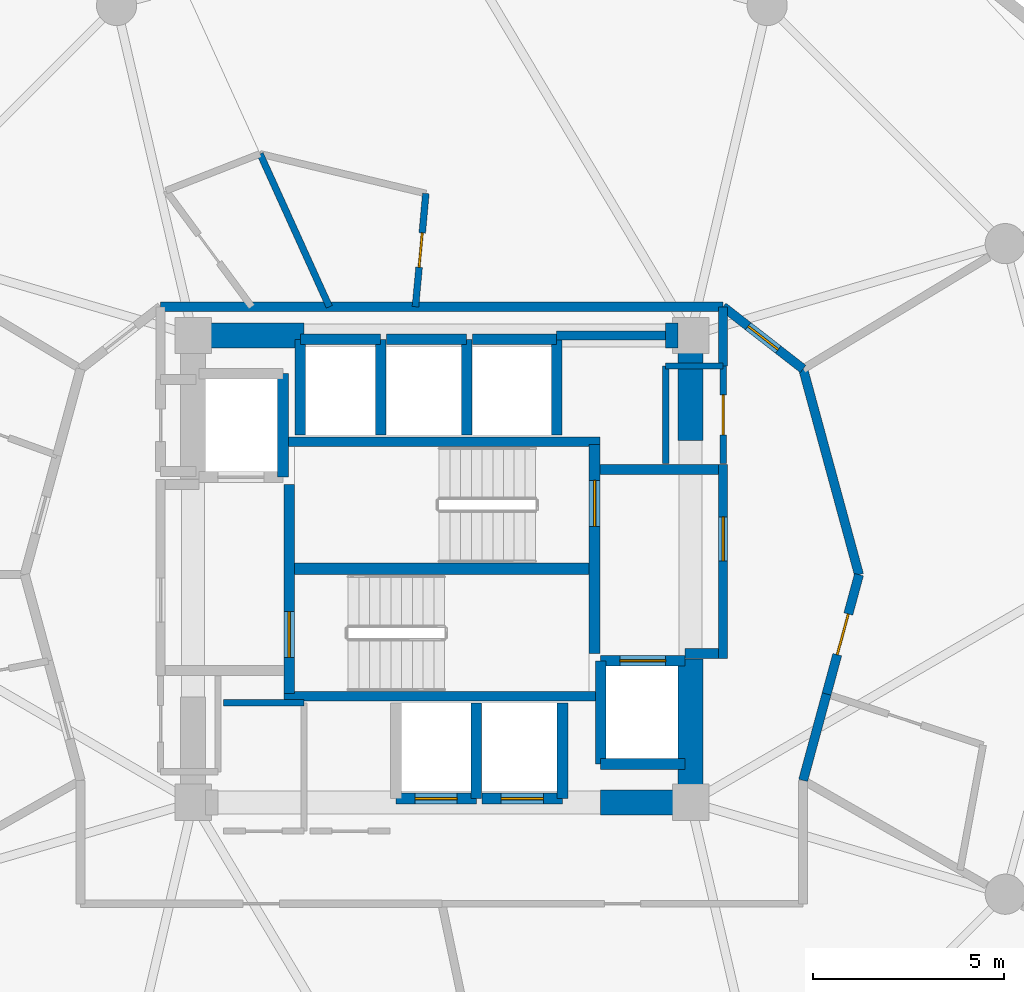
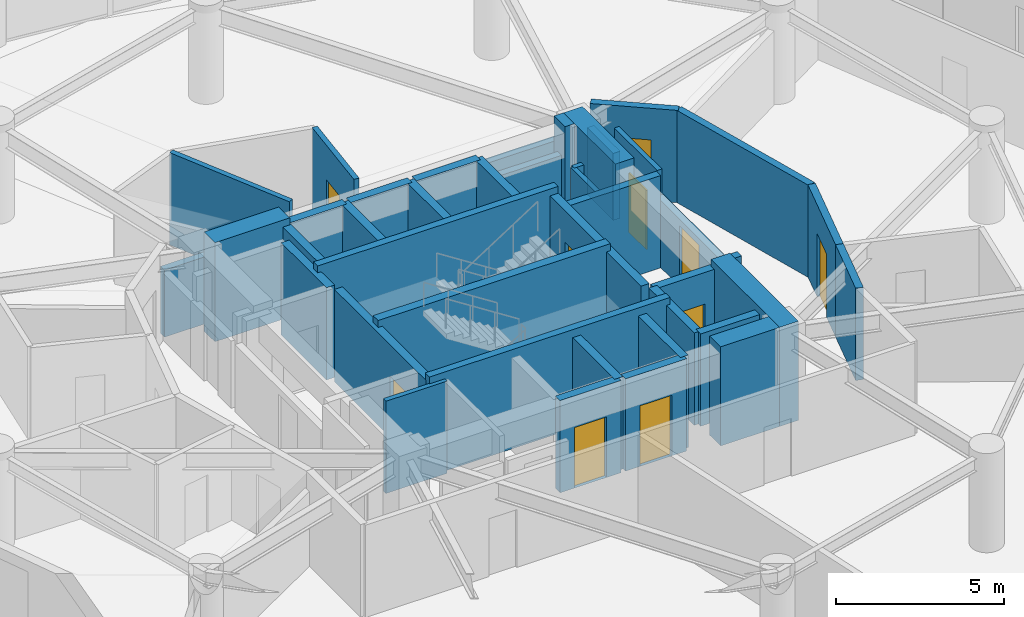
# One storey, part 19 of 22: 41 walls, 10 doors, 10 openings.
"""IFC4 building model written with IfcOpenShell, lengths in metres."""

from ifc_helpers import new_model, si_unit, direction, frame, frame_2d, origin, place, context, subcontext, project, spatial, rectangle, extrude, material, layer, layer_set, type_object, element, fill, save


model = new_model("IFC4")

# Units and contexts
model_context = context("Model", 3, precision=1e-05, world=origin(), true_north=direction((0.0, 1.0)))
body_context = subcontext(model_context, "Body", "Model", "MODEL_VIEW")
ifc_project = project(units=[si_unit("LENGTHUNIT", "METRE"), si_unit("AREAUNIT", "SQUARE_METRE"), si_unit("VOLUMEUNIT", "CUBIC_METRE"), si_unit("PLANEANGLEUNIT", "RADIAN"), si_unit("MASSUNIT", "GRAM", prefix="KILO")], contexts=[model_context])

# Site, building, storey
site_placement = place(None, origin())
site = spatial("IfcSite", under=ifc_project, at=site_placement, CompositionType="ELEMENT")
building_placement = place(site_placement, origin())
building = spatial("IfcBuilding", under=site, at=building_placement, Name="Solvirekh Grand Hotel", CompositionType="ELEMENT")
storey_placement = place(building_placement, frame((0.0, 0.0, 149.39990234375)))
storey = spatial("IfcBuildingStorey", under=building, at=storey_placement, Name="L38", CompositionType="ELEMENT", Elevation=149.39990234375)

# Walls
ifc_material_1 = material(Name="Concrete C50/60", Category="concrete")
ifc_layer_1 = layer(ifc_material_1, 0.35009765625)
ifc_layer_set_1 = layer_set([ifc_layer_1], Name="Concrete C50/60")
wall_type_1 = type_object("IfcWallType", Name="CoreDivWall_RC350", PredefinedType="SOLIDWALL", material=ifc_layer_set_1)
for number, where, z_axis, x_axis, name in (
    (1, (-4.1298828125, -3.324951171875, 0.0), (0.0, 0.0, 1.0), (1.0, 0.0, 0.0), "L38 core stair box wall ST-S"),
    (2, (-4.1298828125, 3.324951171875, 0.0), (0.0, 0.0, 1.0), (1.0, 0.0, 0.0), "L38 core stair box wall ST-N"),
):
    element("IfcWall", number, at=place(storey_placement, frame(where, z_axis=z_axis, x_axis=x_axis)), inside=storey, type_object=wall_type_1, Name=name, PredefinedType="SOLIDWALL", context=body_context, shape_type="SweptSolid", body=[
        extrude(rectangle(XDim=8.259765625, YDim=0.25, at=frame_2d((4.1298828125, 0.0))), origin(), (0.0, 0.0, 1.0), 3.60009765625),
    ])

# Wall, opening, door
ifc_material_2 = material(Name="Concrete C40/50", Category="concrete")
ifc_layer_2 = layer(ifc_material_2, 0.280029296875)
ifc_layer_set_2 = layer_set([ifc_layer_2], Name="Concrete C40/50")
wall_type_2 = type_object("IfcWallType", Name="CoreShaftWall_RC280", PredefinedType="SOLIDWALL", material=ifc_layer_set_2)
wall_1_placement = place(storey_placement, frame((-1.199951171875, -6.0, 0.0), z_axis=(0.0, 0.0, 1.0), x_axis=(1.0, 0.0, 0.0)))
wall_1 = element("IfcWall", 3, at=wall_1_placement, inside=storey, type_object=wall_type_2, Name="L38 MP-1 hoistway S wall", PredefinedType="SOLIDWALL", context=body_context, shape_type="SweptSolid", body=[
    extrude(rectangle(XDim=2.099853515625, YDim=0.280029296875, at=frame_2d((1.0498046875, 0.0))), origin(), (0.0, 0.0, 1.0), 3.35009765625),
])
opening_1_placement = place(wall_1_placement, frame((0.5, 0.0, 0.0)))
opening_1 = element("IfcOpeningElement", 4, at=opening_1_placement, cuts=wall_1, Name="Opening LD01", PredefinedType="OPENING", context=body_context, shape_type="SweptSolid", body=[
    extrude(rectangle(XDim=1.10009765625, YDim=2.199951171875, at=frame_2d((0.550048828125, 1.10009765625))), frame((0.0, 0.14990234375, 0.0), z_axis=(0.0, -1.0, 0.0), x_axis=(1.0, 0.0, 0.0)), (0.0, 0.0, 1.0), 0.300048828125),
])
ifc_material_3 = material(Name="Fire-Rated Steel Door Assembly", Category="steel")
door_type_1 = type_object("IfcDoorType", Name="Door_LiftLanding_1100X2200", OperationType="SLIDING_TO_LEFT", PredefinedType="DOOR", material=ifc_material_3)
door_1_placement = place(opening_1_placement, origin())
door_1 = element("IfcDoor", 5, at=door_1_placement, inside=storey, type_object=door_type_1, Name="L38 MP-1 sliding lift landing door", OperationType="SLIDING_TO_LEFT", OverallHeight=2.199951171875, OverallWidth=1.10009765625, PredefinedType="DOOR", context=body_context, shape_type="SweptSolid", body=[
    extrude(rectangle(XDim=1.10009765625, YDim=2.199951171875, at=frame_2d((0.550048828125, 1.10009765625))), frame((0.0, 0.02490234375, 0.0), z_axis=(0.0, -1.0, 0.0), x_axis=(1.0, 0.0, 0.0)), (0.0, 0.0, 1.0), 0.050048828125),
])
fill(opening_1, door_1)

# Wall
wall_2_placement = place(storey_placement, frame((0.89990234375, -6.0, 0.0), z_axis=(0.0, 0.0, 1.0), x_axis=(0.0, 1.0, 0.0)))
element("IfcWall", 6, at=wall_2_placement, inside=storey, type_object=wall_type_2, Name="L38 MP-1 hoistway E wall", PredefinedType="SOLIDWALL", context=body_context, shape_type="SweptSolid", body=[
    extrude(rectangle(XDim=2.5, YDim=0.280029296875, at=frame_2d((1.25, 0.0))), origin(), (0.0, 0.0, 1.0), 3.35009765625),
])

# Wall, opening, door
wall_3_placement = place(storey_placement, frame((1.050048828125, -6.0, 0.0), z_axis=(0.0, 0.0, 1.0), x_axis=(1.0, 0.0, 0.0)))
wall_3 = element("IfcWall", 7, at=wall_3_placement, inside=storey, type_object=wall_type_2, Name="L38 MP-2 hoistway S wall", PredefinedType="SOLIDWALL", context=body_context, shape_type="SweptSolid", body=[
    extrude(rectangle(XDim=2.099853515625, YDim=0.280029296875, at=frame_2d((1.0498046875, 0.0))), origin(), (0.0, 0.0, 1.0), 3.35009765625),
])
opening_2_placement = place(wall_3_placement, frame((0.5, 0.0, 0.0)))
opening_2 = element("IfcOpeningElement", 8, at=opening_2_placement, cuts=wall_3, Name="Opening LD01", PredefinedType="OPENING", context=body_context, shape_type="SweptSolid", body=[
    extrude(rectangle(XDim=1.10009765625, YDim=2.199951171875, at=frame_2d((0.550048828125, 1.10009765625))), frame((0.0, 0.14990234375, 0.0), z_axis=(0.0, -1.0, 0.0), x_axis=(1.0, 0.0, 0.0)), (0.0, 0.0, 1.0), 0.300048828125),
])
door_2_placement = place(opening_2_placement, origin())
door_2 = element("IfcDoor", 9, at=door_2_placement, inside=storey, type_object=door_type_1, Name="L38 MP-2 sliding lift landing door", OperationType="SLIDING_TO_LEFT", OverallHeight=2.199951171875, OverallWidth=1.10009765625, PredefinedType="DOOR", context=body_context, shape_type="SweptSolid", body=[
    extrude(rectangle(XDim=1.10009765625, YDim=2.199951171875, at=frame_2d((0.550048828125, 1.10009765625))), frame((0.0, 0.02490234375, 0.0), z_axis=(0.0, -1.0, 0.0), x_axis=(1.0, 0.0, 0.0)), (0.0, 0.0, 1.0), 0.050048828125),
])
fill(opening_2, door_2)

# Walls
wall_4_placement = place(storey_placement, frame((3.14990234375, -6.0, 0.0), z_axis=(0.0, 0.0, 1.0), x_axis=(0.0, 1.0, 0.0)))
element("IfcWall", 10, at=wall_4_placement, inside=storey, type_object=wall_type_2, Name="L38 MP-2 hoistway E wall", PredefinedType="SOLIDWALL", context=body_context, shape_type="SweptSolid", body=[
    extrude(rectangle(XDim=2.5, YDim=0.280029296875, at=frame_2d((1.25, 0.0))), origin(), (0.0, 0.0, 1.0), 3.35009765625),
])
wall_5_placement = place(storey_placement, frame((-1.60009765625, 6.0, 0.0), z_axis=(0.0, 0.0, 1.0), x_axis=(-1.0, 0.0, 0.0)))
element("IfcWall", 11, at=wall_5_placement, inside=storey, type_object=wall_type_2, Name="L38 HP-1 hoistway N wall", PredefinedType="SOLIDWALL", context=body_context, shape_type="SweptSolid", body=[
    extrude(rectangle(XDim=2.099853515625, YDim=0.280029296875, at=frame_2d((1.0498046875, 0.0))), origin(), (0.0, 0.0, 1.0), 3.35009765625),
])
for number, where, z_axis, x_axis, name in (
    (12, (-3.699951171875, 6.0, 0.0), (0.0, 0.0, 1.0), (0.0, -1.0, 0.0), "L38 HP-1 hoistway W wall"),
    (13, (-1.60009765625, 3.5, 0.0), (0.0, 0.0, 1.0), (0.0, 1.0, 0.0), "L38 HP-1 hoistway E wall"),
):
    element("IfcWall", number, at=place(storey_placement, frame(where, z_axis=z_axis, x_axis=x_axis)), inside=storey, type_object=wall_type_2, Name=name, PredefinedType="SOLIDWALL", context=body_context, shape_type="SweptSolid", body=[
        extrude(rectangle(XDim=2.5, YDim=0.280029296875, at=frame_2d((1.25, 0.0))), origin(), (0.0, 0.0, 1.0), 3.35009765625),
    ])
wall_6_placement = place(storey_placement, frame((0.64990234375, 6.0, 0.0), z_axis=(0.0, 0.0, 1.0), x_axis=(-1.0, 0.0, 0.0)))
element("IfcWall", 14, at=wall_6_placement, inside=storey, type_object=wall_type_2, Name="L38 HP-2 hoistway N wall", PredefinedType="SOLIDWALL", context=body_context, shape_type="SweptSolid", body=[
    extrude(rectangle(XDim=2.099853515625, YDim=0.280029296875, at=frame_2d((1.0498046875, 0.0))), origin(), (0.0, 0.0, 1.0), 3.35009765625),
])
wall_7_placement = place(storey_placement, frame((0.64990234375, 3.5, 0.0), z_axis=(0.0, 0.0, 1.0), x_axis=(0.0, 1.0, 0.0)))
element("IfcWall", 15, at=wall_7_placement, inside=storey, type_object=wall_type_2, Name="L38 HP-2 hoistway E wall", PredefinedType="SOLIDWALL", context=body_context, shape_type="SweptSolid", body=[
    extrude(rectangle(XDim=2.5, YDim=0.280029296875, at=frame_2d((1.25, 0.0))), origin(), (0.0, 0.0, 1.0), 3.35009765625),
])
wall_8_placement = place(storey_placement, frame((3.0, 6.0, 0.0), z_axis=(0.0, 0.0, 1.0), x_axis=(-1.0, 0.0, 0.0)))
element("IfcWall", 16, at=wall_8_placement, inside=storey, type_object=wall_type_2, Name="L38 EX-1 hoistway N wall", PredefinedType="SOLIDWALL", context=body_context, shape_type="SweptSolid", body=[
    extrude(rectangle(XDim=2.199951171875, YDim=0.280029296875, at=frame_2d((1.10009765625, 0.0))), origin(), (0.0, 0.0, 1.0), 3.35009765625),
])
wall_9_placement = place(storey_placement, frame((3.0, 3.5, 0.0), z_axis=(0.0, 0.0, 1.0), x_axis=(0.0, 1.0, 0.0)))
element("IfcWall", 17, at=wall_9_placement, inside=storey, type_object=wall_type_2, Name="L38 EX-1 hoistway E wall", PredefinedType="SOLIDWALL", context=body_context, shape_type="SweptSolid", body=[
    extrude(rectangle(XDim=2.5, YDim=0.280029296875, at=frame_2d((1.25, 0.0))), origin(), (0.0, 0.0, 1.0), 3.35009765625),
])
wall_10_placement = place(storey_placement, frame((-4.14990234375, 2.39990234375, 0.0), z_axis=(0.0, 0.0, 1.0), x_axis=(0.0, 1.0, 0.0)))
element("IfcWall", 18, at=wall_10_placement, inside=storey, type_object=wall_type_2, Name="L38 FL-1 hoistway E wall", PredefinedType="SOLIDWALL", context=body_context, shape_type="SweptSolid", body=[
    extrude(rectangle(XDim=2.7001953125, YDim=0.280029296875, at=frame_2d((1.35009765625, 0.0))), origin(), (0.0, 0.0, 1.0), 3.35009765625),
])
wall_11_placement = place(storey_placement, frame((4.14990234375, -5.10009765625, 0.0), z_axis=(0.0, 0.0, 1.0), x_axis=(1.0, 0.0, 0.0)))
element("IfcWall", 19, at=wall_11_placement, inside=storey, type_object=wall_type_2, Name="L38 FL-2 hoistway S wall", PredefinedType="SOLIDWALL", context=body_context, shape_type="SweptSolid", body=[
    extrude(rectangle(XDim=2.2001953125, YDim=0.280029296875, at=frame_2d((1.10009765625, 0.0))), origin(), (0.0, 0.0, 1.0), 3.35009765625),
])

# Wall, opening, door
wall_12_placement = place(storey_placement, frame((6.35009765625, -2.39990234375, 0.0), z_axis=(0.0, 0.0, 1.0), x_axis=(-1.0, 0.0, 0.0)))
wall_12 = element("IfcWall", 20, at=wall_12_placement, inside=storey, type_object=wall_type_2, Name="L38 FL-2 hoistway N wall", PredefinedType="SOLIDWALL", context=body_context, shape_type="SweptSolid", body=[
    extrude(rectangle(XDim=2.2001953125, YDim=0.280029296875, at=frame_2d((1.10009765625, 0.0))), origin(), (0.0, 0.0, 1.0), 3.35009765625),
])
opening_3_placement = place(wall_12_placement, frame((0.5, 0.0, 0.0)))
opening_3 = element("IfcOpeningElement", 21, at=opening_3_placement, cuts=wall_12, Name="Opening LD02", PredefinedType="OPENING", context=body_context, shape_type="SweptSolid", body=[
    extrude(rectangle(XDim=1.199951171875, YDim=2.199951171875, at=frame_2d((0.60009765625, 1.10009765625))), frame((0.0, 0.14990234375, 0.0), z_axis=(0.0, -1.0, 0.0), x_axis=(1.0, 0.0, 0.0)), (0.0, 0.0, 1.0), 0.300048828125),
])
door_type_2 = type_object("IfcDoorType", Name="Door_LiftFF_1200X2200", OperationType="SLIDING_TO_LEFT", PredefinedType="DOOR", material=ifc_material_3)
door_3_placement = place(opening_3_placement, origin())
door_3 = element("IfcDoor", 22, at=door_3_placement, inside=storey, type_object=door_type_2, Name="L38 FL-2 sliding lift landing door", OperationType="SLIDING_TO_LEFT", OverallHeight=2.199951171875, OverallWidth=1.199951171875, PredefinedType="DOOR", context=body_context, shape_type="SweptSolid", body=[
    extrude(rectangle(XDim=1.199951171875, YDim=2.199951171875, at=frame_2d((0.60009765625, 1.10009765625))), frame((0.0, 0.02490234375, 0.0), z_axis=(0.0, -1.0, 0.0), x_axis=(1.0, 0.0, 0.0)), (0.0, 0.0, 1.0), 0.050048828125),
])
fill(opening_3, door_3)

# Wall
wall_13_placement = place(storey_placement, frame((4.14990234375, -2.39990234375, 0.0), z_axis=(0.0, 0.0, 1.0), x_axis=(0.0, -1.0, 0.0)))
element("IfcWall", 23, at=wall_13_placement, inside=storey, type_object=wall_type_2, Name="L38 FL-2 hoistway W wall", PredefinedType="SOLIDWALL", context=body_context, shape_type="SweptSolid", body=[
    extrude(rectangle(XDim=2.7001953125, YDim=0.280029296875, at=frame_2d((1.35009765625, 0.0))), origin(), (0.0, 0.0, 1.0), 3.35009765625),
])

# Wall, opening, door
wall_14_placement = place(storey_placement, frame((-3.989990234375, -3.25, 0.0), z_axis=(0.0, 0.0, 1.0), x_axis=(0.0, 1.0, 0.0)))
wall_14 = element("IfcWall", 24, at=wall_14_placement, inside=storey, type_object=wall_type_2, Name="L38 west stair landing enclosure wall", PredefinedType="SOLIDWALL", context=body_context, shape_type="SweptSolid", body=[
    extrude(rectangle(XDim=5.4599609375, YDim=0.280029296875, at=frame_2d((2.72998046875, 0.0))), origin(), (0.0, 0.0, 1.0), 3.35009765625),
])
opening_4_placement = place(wall_14_placement, frame((0.93701171875, 0.0, 0.0)))
opening_4 = element("IfcOpeningElement", 25, at=opening_4_placement, cuts=wall_14, Name="Opening D05", PredefinedType="OPENING", context=body_context, shape_type="SweptSolid", body=[
    extrude(rectangle(XDim=1.199951171875, YDim=2.199951171875, at=frame_2d((0.60009765625, 1.10009765625))), frame((0.0, 0.14990234375, 0.0), z_axis=(0.0, -1.0, 0.0), x_axis=(1.0, 0.0, 0.0)), (0.0, 0.0, 1.0), 0.300048828125),
])
door_type_3 = type_object("IfcDoorType", Name="Door_StairCore_1200X2200", OperationType="NOTDEFINED", PredefinedType="DOOR", material=ifc_material_3)
door_4_placement = place(opening_4_placement, origin())
door_4 = element("IfcDoor", 26, at=door_4_placement, inside=storey, type_object=door_type_3, Name="L38 exit stair ST-1 fire door", OperationType="SINGLE_SWING_RIGHT", OverallHeight=2.199951171875, OverallWidth=1.199951171875, PredefinedType="DOOR", context=body_context, shape_type="SweptSolid", body=[
    extrude(rectangle(XDim=1.199951171875, YDim=2.199951171875, at=frame_2d((0.60009765625, 1.10009765625))), frame((0.0, 0.02490234375, 0.0), z_axis=(0.0, -1.0, 0.0), x_axis=(1.0, 0.0, 0.0)), (0.0, 0.0, 1.0), 0.050048828125),
])
fill(opening_4, door_4)

wall_15_placement = place(storey_placement, frame((3.989990234375, -2.2099609375, 0.0), z_axis=(0.0, 0.0, 1.0), x_axis=(0.0, 1.0, 0.0)))
wall_15 = element("IfcWall", 27, at=wall_15_placement, inside=storey, type_object=wall_type_2, Name="L38 east stair landing enclosure wall", PredefinedType="SOLIDWALL", context=body_context, shape_type="SweptSolid", body=[
    extrude(rectangle(XDim=5.4599609375, YDim=0.280029296875, at=frame_2d((2.72998046875, 0.0))), origin(), (0.0, 0.0, 1.0), 3.35009765625),
])
opening_5_placement = place(wall_15_placement, frame((3.322998046875, 0.0, 0.0)))
opening_5 = element("IfcOpeningElement", 28, at=opening_5_placement, cuts=wall_15, Name="Opening D05", PredefinedType="OPENING", context=body_context, shape_type="SweptSolid", body=[
    extrude(rectangle(XDim=1.199951171875, YDim=2.199951171875, at=frame_2d((0.60009765625, 1.10009765625))), frame((0.0, 0.14990234375, 0.0), z_axis=(0.0, -1.0, 0.0), x_axis=(1.0, 0.0, 0.0)), (0.0, 0.0, 1.0), 0.300048828125),
])
door_5_placement = place(opening_5_placement, origin())
door_5 = element("IfcDoor", 29, at=door_5_placement, inside=storey, type_object=door_type_3, Name="L38 exit stair ST-2 fire door", OperationType="SINGLE_SWING_LEFT", OverallHeight=2.199951171875, OverallWidth=1.199951171875, PredefinedType="DOOR", context=body_context, shape_type="SweptSolid", body=[
    extrude(rectangle(XDim=1.199951171875, YDim=2.199951171875, at=frame_2d((0.60009765625, 1.10009765625))), frame((0.0, 0.02490234375, 0.0), z_axis=(0.0, -1.0, 0.0), x_axis=(1.0, 0.0, 0.0)), (0.0, 0.0, 1.0), 0.050048828125),
])
fill(opening_5, door_5)

# Walls
ifc_layer_3 = layer(ifc_material_1, 0.64990234375)
ifc_layer_set_3 = layer_set([ifc_layer_3], Name="Concrete C50/60")
wall_type_3 = type_object("IfcWallType", Name="CoreWall_RC650", PredefinedType="SHEAR", material=ifc_layer_set_3)
wall_16_placement = place(storey_placement, frame((-3.989990234375, 0.0, 0.0), z_axis=(0.0, 0.0, 1.0), x_axis=(1.0, 0.0, 0.0)))
element("IfcWall", 30, at=wall_16_placement, inside=storey, type_object=wall_type_3, Name="L38 central stair-spine shear wall", PredefinedType="SHEAR", context=body_context, shape_type="SweptSolid", body=[
    extrude(rectangle(XDim=7.97998046875, YDim=0.300048828125, at=frame_2d((3.989990234375, 0.0))), origin(), (0.0, 0.0, 1.0), 3.60009765625),
])
wall_17_placement = place(storey_placement, frame((4.14990234375, -6.10009765625, 0.0), z_axis=(0.0, 0.0, 1.0), x_axis=(1.0, 0.0, 0.0)))
element("IfcWall", 31, at=wall_17_placement, inside=storey, type_object=wall_type_3, Name="L38 core corner shear wall SE-S", PredefinedType="SHEAR", context=body_context, shape_type="SweptSolid", body=[
    extrude(rectangle(XDim=2.025146484375, YDim=0.64990234375, at=frame_2d((1.0126953125, 0.0))), origin(), (0.0, 0.0, 1.0), 3.60009765625),
])
wall_18_placement = place(storey_placement, frame((-6.175048828125, 6.10009765625, 0.0), z_axis=(0.0, 0.0, 1.0), x_axis=(1.0, 0.0, 0.0)))
element("IfcWall", 32, at=wall_18_placement, inside=storey, type_object=wall_type_3, Name="L38 core corner shear wall NW-N", PredefinedType="SHEAR", context=body_context, shape_type="SweptSolid", body=[
    extrude(rectangle(XDim=2.574951171875, YDim=0.64990234375, at=frame_2d((1.28759765625, 0.0))), origin(), (0.0, 0.0, 1.0), 3.60009765625),
])
wall_19_placement = place(storey_placement, frame((5.85009765625, 6.10009765625, 0.0), z_axis=(0.0, 0.0, 1.0), x_axis=(1.0, 0.0, 0.0)))
element("IfcWall", 33, at=wall_19_placement, inside=storey, type_object=wall_type_3, Name="L38 core corner shear wall NE-N", PredefinedType="SHEAR", context=body_context, shape_type="SweptSolid", body=[
    extrude(rectangle(XDim=0.324951171875, YDim=0.64990234375, at=frame_2d((0.16259765625, 0.0))), origin(), (0.0, 0.0, 1.0), 3.60009765625),
])
wall_20_placement = place(storey_placement, frame((6.5, -6.425048828125, 0.0), z_axis=(0.0, 0.0, 1.0), x_axis=(0.0, 1.0, 0.0)))
element("IfcWall", 34, at=wall_20_placement, inside=storey, type_object=wall_type_3, Name="L38 core corner shear wall ES-E", PredefinedType="SHEAR", context=body_context, shape_type="SweptSolid", body=[
    extrude(rectangle(XDim=4.074951171875, YDim=0.64990234375, at=frame_2d((2.03759765625, 0.0))), origin(), (0.0, 0.0, 1.0), 3.60009765625),
])
wall_21_placement = place(storey_placement, frame((6.5, 3.35009765625, 0.0), z_axis=(0.0, 0.0, 1.0), x_axis=(0.0, 1.0, 0.0)))
element("IfcWall", 35, at=wall_21_placement, inside=storey, type_object=wall_type_3, Name="L38 core corner shear wall EN-E", PredefinedType="SHEAR", context=body_context, shape_type="SweptSolid", body=[
    extrude(rectangle(XDim=3.074951171875, YDim=0.64990234375, at=frame_2d((1.53759765625, 0.0))), origin(), (0.0, 0.0, 1.0), 3.60009765625),
])

# Wall, opening, door
ifc_material_4 = material(Name="Acoustic Gypsum Partition Assembly")
ifc_layer_4 = layer(ifc_material_4, 0.1650390625)
ifc_layer_set_4 = layer_set([ifc_layer_4], Name="Acoustic Gypsum Partition Assembly")
wall_type_4 = type_object("IfcWallType", Name="Part_BOH_165", PredefinedType="PARTITIONING", material=ifc_layer_set_4)
wall_22_placement = place(storey_placement, frame((7.35009765625, 2.75, 0.0), z_axis=(0.0, 0.0, 1.0), x_axis=(0.0, 1.0, 0.0)))
wall_22 = element("IfcWall", 36, at=wall_22_placement, inside=storey, type_object=wall_type_4, Name="L38 L38 Telecom Distribution Room wall 2", PredefinedType="PARTITIONING", context=body_context, shape_type="SweptSolid", body=[
    extrude(rectangle(XDim=2.550048828125, YDim=0.1650390625, at=frame_2d((1.27490234375, 0.0))), origin(), (0.0, 0.0, 1.0), 3.35009765625),
])
opening_6_placement = place(wall_22_placement, frame((0.75, 0.0, 0.0)))
opening_6 = element("IfcOpeningElement", 37, at=opening_6_placement, cuts=wall_22, Name="Opening D12", PredefinedType="OPENING", context=body_context, shape_type="SweptSolid", body=[
    extrude(rectangle(XDim=1.050048828125, YDim=2.14990234375, at=frame_2d((0.52490234375, 1.074951171875))), frame((0.0, 0.092529296875, 0.0), z_axis=(0.0, -1.0, 0.0), x_axis=(1.0, 0.0, 0.0)), (0.0, 0.0, 1.0), 0.18505859375),
])
door_type_4 = type_object("IfcDoorType", Name="Door_PlantBOH_1050X2150", OperationType="NOTDEFINED", PredefinedType="DOOR", material=ifc_material_3)
door_6_placement = place(opening_6_placement, origin())
door_6 = element("IfcDoor", 38, at=door_6_placement, inside=storey, type_object=door_type_4, Name="L38 L38 Telecom Distribution Room door", OperationType="SINGLE_SWING_RIGHT", OverallHeight=2.14990234375, OverallWidth=1.050048828125, PredefinedType="DOOR", context=body_context, shape_type="SweptSolid", body=[
    extrude(rectangle(XDim=1.050048828125, YDim=2.14990234375, at=frame_2d((0.52490234375, 1.074951171875))), frame((0.0, 0.02490234375, 0.0), z_axis=(0.0, -1.0, 0.0), x_axis=(1.0, 0.0, 0.0)), (0.0, 0.0, 1.0), 0.050048828125),
])
fill(opening_6, door_6)

# Walls
wall_23_placement = place(storey_placement, frame((7.35009765625, 5.300048828125, 0.0), z_axis=(0.0, 0.0, 1.0), x_axis=(-1.0, 0.0, 0.0)))
element("IfcWall", 39, at=wall_23_placement, inside=storey, type_object=wall_type_4, Name="L38 L38 Telecom Distribution Room wall 3", PredefinedType="PARTITIONING", context=body_context, shape_type="SweptSolid", body=[
    extrude(rectangle(XDim=1.5, YDim=0.1650390625, at=frame_2d((0.75, 0.0))), origin(), (0.0, 0.0, 1.0), 2.43505859375),
])
wall_24_placement = place(storey_placement, frame((5.85009765625, 5.300048828125, 0.0), z_axis=(0.0, 0.0, 1.0), x_axis=(0.0, -1.0, 0.0)))
element("IfcWall", 40, at=wall_24_placement, inside=storey, type_object=wall_type_4, Name="L38 L38 Telecom Distribution Room wall 4", PredefinedType="PARTITIONING", context=body_context, shape_type="SweptSolid", body=[
    extrude(rectangle(XDim=2.550048828125, YDim=0.1650390625, at=frame_2d((1.27490234375, 0.0))), origin(), (0.0, 0.0, 1.0), 2.43505859375),
])
wall_25_placement = place(storey_placement, frame((-3.60009765625, -3.5, 0.0), z_axis=(0.0, 0.0, 1.0), x_axis=(-1.0, 0.0, 0.0)))
element("IfcWall", 41, at=wall_25_placement, inside=storey, type_object=wall_type_4, Name="L38 Mid-Zone Housekeeping Store wall 3", PredefinedType="PARTITIONING", context=body_context, shape_type="SweptSolid", body=[
    extrude(rectangle(XDim=2.099853515625, YDim=0.1650390625, at=frame_2d((1.0498046875, 0.0))), origin(), (0.0, 0.0, 1.0), 3.35009765625),
])

# Wall, opening, door
ifc_layer_5 = layer(ifc_material_4, 0.239990234375)
ifc_layer_set_5 = layer_set([ifc_layer_5], Name="Acoustic Gypsum Partition Assembly")
wall_type_5 = type_object("IfcWallType", Name="Part_Corridor_240", PredefinedType="PARTITIONING", material=ifc_layer_set_5)
wall_26_placement = place(storey_placement, frame((7.35009765625, -2.340087890625, 0.0), z_axis=(0.0, 0.0, 1.0), x_axis=(0.0, 1.0, 0.0)))
wall_26 = element("IfcWall", 42, at=wall_26_placement, inside=storey, type_object=wall_type_5, Name="L38 east firefighting lobby smoke screen wall", PredefinedType="PARTITIONING", context=body_context, shape_type="SweptSolid", body=[
    extrude(rectangle(XDim=5.070068359375, YDim=0.239990234375, at=frame_2d((2.53515625, 0.0))), origin(), (0.0, 0.0, 1.0), 2.43505859375),
])
opening_7_placement = place(wall_26_placement, frame((2.548095703125, 0.0, 0.0)))
opening_7 = element("IfcOpeningElement", 43, at=opening_7_placement, cuts=wall_26, Name="Opening D06", PredefinedType="OPENING", context=body_context, shape_type="SweptSolid", body=[
    extrude(rectangle(XDim=1.14990234375, YDim=2.199951171875, at=frame_2d((0.574951171875, 1.10009765625))), frame((0.0, 0.1298828125, 0.0), z_axis=(0.0, -1.0, 0.0), x_axis=(1.0, 0.0, 0.0)), (0.0, 0.0, 1.0), 0.260009765625),
])
door_type_5 = type_object("IfcDoorType", Name="Door_FFLobby_1150X2200", OperationType="NOTDEFINED", PredefinedType="DOOR", material=ifc_material_3)
door_7_placement = place(opening_7_placement, origin())
door_7 = element("IfcDoor", 44, at=door_7_placement, inside=storey, type_object=door_type_5, Name="L38 east firefighting lobby smoke door", OperationType="SINGLE_SWING_LEFT", OverallHeight=2.199951171875, OverallWidth=1.14990234375, PredefinedType="DOOR", context=body_context, shape_type="SweptSolid", body=[
    extrude(rectangle(XDim=1.14990234375, YDim=2.199951171875, at=frame_2d((0.574951171875, 1.10009765625))), frame((0.0, 0.02490234375, 0.0), z_axis=(0.0, -1.0, 0.0), x_axis=(1.0, 0.0, 0.0)), (0.0, 0.0, 1.0), 0.050048828125),
])
fill(opening_7, door_7)

# Walls
wall_27_placement = place(storey_placement, frame((-7.35009765625, 6.85009765625, 0.0), z_axis=(0.0, 0.0, 1.0), x_axis=(1.0, 0.0, 0.0)))
element("IfcWall", 45, at=wall_27_placement, inside=storey, type_object=wall_type_5, Name="L38 north core backing partition", PredefinedType="PARTITIONING", context=body_context, shape_type="SweptSolid", body=[
    extrude(rectangle(XDim=14.7001953125, YDim=0.239990234375, at=frame_2d((7.35009765625, 0.0))), origin(), (0.0, 0.0, 1.0), 2.43505859375),
])
wall_28_placement = place(storey_placement, frame((7.35009765625, 5.300048828125, 0.0), z_axis=(0.0, 0.0, 1.0), x_axis=(0.0, 1.0, 0.0)))
element("IfcWall", 46, at=wall_28_placement, inside=storey, type_object=wall_type_5, Name="L38 NE core cheek closure wall", PredefinedType="PARTITIONING", context=body_context, shape_type="SweptSolid", body=[
    extrude(rectangle(XDim=1.550048828125, YDim=0.239990234375, at=frame_2d((0.77490234375, 0.0))), origin(), (0.0, 0.0, 1.0), 2.43505859375),
])
wall_29_placement = place(storey_placement, frame((3.0, 6.10009765625, 0.0), z_axis=(0.0, 0.0, 1.0), x_axis=(1.0, 0.0, 0.0)))
element("IfcWall", 47, at=wall_29_placement, inside=storey, type_object=wall_type_5, Name="L38 north core shaft infill wall", PredefinedType="PARTITIONING", context=body_context, shape_type="SweptSolid", body=[
    extrude(rectangle(XDim=2.85009765625, YDim=0.239990234375, at=frame_2d((1.425048828125, 0.0))), origin(), (0.0, 0.0, 1.0), 2.43505859375),
])

# Wall, opening, door
wall_30_placement = place(storey_placement, frame((7.35009765625, 6.85009765625, 0.0), z_axis=(0.0, 0.0, 1.0), x_axis=(0.789431664708, -0.613838453306, 0.0)))
wall_30 = element("IfcWall", 48, at=wall_30_placement, inside=storey, type_object=wall_type_5, Name="L38 Panorama Suite 4001 entrance wall", PredefinedType="PARTITIONING", context=body_context, shape_type="SweptSolid", body=[
    extrude(rectangle(XDim=2.647216796875, YDim=0.239990234375, at=frame_2d((1.32373046875, 0.0))), origin(), (0.0, 0.0, 1.0), 3.35009765625),
])
opening_8_placement = place(wall_30_placement, frame((0.823974609375, 0.0, 0.0)))
opening_8 = element("IfcOpeningElement", 49, at=opening_8_placement, cuts=wall_30, Name="Opening D07", PredefinedType="OPENING", context=body_context, shape_type="SweptSolid", body=[
    extrude(rectangle(XDim=1.0, YDim=2.199951171875, at=frame_2d((0.5, 1.10009765625))), frame((0.0, 0.1298828125, 0.0), z_axis=(0.0, -1.0, 0.0), x_axis=(1.0, 0.0, 0.0)), (0.0, 0.0, 1.0), 0.260009765625),
])
door_type_6 = type_object("IfcDoorType", Name="Door_GuestEntry_1000X2200", OperationType="NOTDEFINED", PredefinedType="DOOR", material=ifc_material_3)
door_8_placement = place(opening_8_placement, origin())
door_8 = element("IfcDoor", 50, at=door_8_placement, inside=storey, type_object=door_type_6, Name="L38 Panorama Suite 4001 entrance door", OperationType="SINGLE_SWING_RIGHT", OverallHeight=2.199951171875, OverallWidth=1.0, PredefinedType="DOOR", context=body_context, shape_type="SweptSolid", body=[
    extrude(rectangle(XDim=1.0, YDim=2.199951171875, at=frame_2d((0.5, 1.10009765625))), frame((0.0, 0.02490234375, 0.0), z_axis=(0.0, -1.0, 0.0), x_axis=(1.0, 0.0, 0.0)), (0.0, 0.0, 1.0), 0.050048828125),
])
fill(opening_8, door_8)

# Walls
wall_31_placement = place(storey_placement, frame((9.43994140625, -5.52490234375, 0.0), z_axis=(0.0, 0.0, 1.0), x_axis=(0.262136756532, 0.965030735715, 0.0)))
element("IfcWall", 51, at=wall_31_placement, inside=storey, type_object=wall_type_5, Name="L38 En-suite Bathroom 4005 corridor backing wall", PredefinedType="PARTITIONING", context=body_context, shape_type="SweptSolid", body=[
    extrude(rectangle(XDim=2.338623046875, YDim=0.239990234375, at=frame_2d((1.16943359375, 0.0))), origin(), (0.0, 0.0, 1.0), 3.35009765625),
])
wall_32_placement = place(storey_placement, frame((10.89990234375, -0.14990234375, 0.0), z_axis=(0.0, 0.0, 1.0), x_axis=(-0.262123261283, 0.965034401405, 0.0)))
element("IfcWall", 52, at=wall_32_placement, inside=storey, type_object=wall_type_5, Name="L38 Executive Suite 4005 Living Room corridor wall 1", PredefinedType="PARTITIONING", context=body_context, shape_type="SweptSolid", body=[
    extrude(rectangle(XDim=5.56982421875, YDim=0.239990234375, at=frame_2d((2.784912109375, 0.0))), origin(), (0.0, 0.0, 1.0), 3.35009765625),
])

# Wall, opening, door
wall_33_placement = place(storey_placement, frame((10.052978515625, -3.26806640625, 0.0), z_axis=(0.0, 0.0, 1.0), x_axis=(0.26211349372, 0.965037054423, 0.0)))
wall_33 = element("IfcWall", 53, at=wall_33_placement, inside=storey, type_object=wall_type_5, Name="L38 Executive Suite 4005 Living Room entrance wall", PredefinedType="PARTITIONING", context=body_context, shape_type="SweptSolid", body=[
    extrude(rectangle(XDim=3.231201171875, YDim=0.239990234375, at=frame_2d((1.61572265625, 0.0))), origin(), (0.0, 0.0, 1.0), 3.35009765625),
])
opening_9_placement = place(wall_33_placement, frame((1.06494140625, 0.0, 0.0)))
opening_9 = element("IfcOpeningElement", 54, at=opening_9_placement, cuts=wall_33, Name="Opening D08", PredefinedType="OPENING", context=body_context, shape_type="SweptSolid", body=[
    extrude(rectangle(XDim=1.10009765625, YDim=2.300048828125, at=frame_2d((0.550048828125, 1.14990234375))), frame((0.0, 0.1298828125, 0.0), z_axis=(0.0, -1.0, 0.0), x_axis=(1.0, 0.0, 0.0)), (0.0, 0.0, 1.0), 0.260009765625),
])
door_type_7 = type_object("IfcDoorType", Name="Door_SuiteEntry_1100X2300", OperationType="NOTDEFINED", PredefinedType="DOOR", material=ifc_material_3)
door_9_placement = place(opening_9_placement, origin())
door_9 = element("IfcDoor", 55, at=door_9_placement, inside=storey, type_object=door_type_7, Name="L38 Executive Suite 4005 Living Room entrance door", OperationType="SINGLE_SWING_RIGHT", OverallHeight=2.300048828125, OverallWidth=1.10009765625, PredefinedType="DOOR", context=body_context, shape_type="SweptSolid", body=[
    extrude(rectangle(XDim=1.10009765625, YDim=2.300048828125, at=frame_2d((0.550048828125, 1.14990234375))), frame((0.0, 0.02490234375, 0.0), z_axis=(0.0, -1.0, 0.0), x_axis=(1.0, 0.0, 0.0)), (0.0, 0.0, 1.0), 0.050048828125),
])
fill(opening_9, door_9)

# Walls
ifc_layer_6 = layer(ifc_material_4, 0.260009765625)
ifc_layer_set_6 = layer_set([ifc_layer_6], Name="Acoustic Gypsum Partition Assembly")
wall_type_6 = type_object("IfcWallType", Name="Part_LobbyFF_260", PredefinedType="PARTITIONING", material=ifc_layer_set_6)
wall_34_placement = place(storey_placement, frame((6.35009765625, -2.2099609375, 0.0), z_axis=(0.0, 0.0, 1.0), x_axis=(1.0, 0.0, 0.0)))
element("IfcWall", 56, at=wall_34_placement, inside=storey, type_object=wall_type_6, Name="L38 east firefighting lobby SE cheek", PredefinedType="PARTITIONING", context=body_context, shape_type="SweptSolid", body=[
    extrude(rectangle(XDim=0.875, YDim=0.260009765625, at=frame_2d((0.4375, 0.0))), origin(), (0.0, 0.0, 1.0), 3.35009765625),
])
wall_35_placement = place(storey_placement, frame((4.1298828125, 2.60009765625, 0.0), z_axis=(0.0, 0.0, 1.0), x_axis=(1.0, 0.0, 0.0)))
element("IfcWall", 57, at=wall_35_placement, inside=storey, type_object=wall_type_6, Name="L38 east firefighting lobby north partition", PredefinedType="PARTITIONING", context=body_context, shape_type="SweptSolid", body=[
    extrude(rectangle(XDim=3.09521484375, YDim=0.260009765625, at=frame_2d((1.547607421875, 0.0))), origin(), (0.0, 0.0, 1.0), 3.35009765625),
])
ifc_layer_7 = layer(ifc_material_4, 0.175048828125)
ifc_layer_set_7 = layer_set([ifc_layer_7], Name="Acoustic Gypsum Partition Assembly")
wall_type_7 = type_object("IfcWallType", Name="Plumb_Ensuite_175", PredefinedType="PLUMBINGWALL", material=ifc_layer_set_7)
wall_36_placement = place(storey_placement, frame((-4.75, 10.845947265625, 0.0), z_axis=(0.0, 0.0, 1.0), x_axis=(0.412624318024, -0.910901296615, 0.0)))
element("IfcWall", 58, at=wall_36_placement, inside=storey, type_object=wall_type_7, Name="L38 En-suite Bathroom 4001 side plumbing wall", PredefinedType="PLUMBINGWALL", context=body_context, shape_type="SweptSolid", body=[
    extrude(rectangle(XDim=4.38671875, YDim=0.175048828125, at=frame_2d((2.193359375, 0.0))), origin(), (0.0, 0.0, 1.0), 3.35009765625),
])

# Wall, opening, door
wall_37_placement = place(storey_placement, frame((-0.68994140625, 6.85009765625, 0.0), z_axis=(0.0, 0.0, 1.0), x_axis=(0.091498434122, 0.995805220188, 0.0)))
wall_37 = element("IfcWall", 59, at=wall_37_placement, inside=storey, type_object=wall_type_7, Name="L38 En-suite Bathroom 4001 entry plumbing wall", PredefinedType="PLUMBINGWALL", context=body_context, shape_type="SweptSolid", body=[
    extrude(rectangle(XDim=2.972412109375, YDim=0.175048828125, at=frame_2d((1.486328125, 0.0))), origin(), (0.0, 0.0, 1.0), 3.35009765625),
])
opening_10_placement = place(wall_37_placement, frame((1.035888671875, 0.0, 0.0)))
opening_10 = element("IfcOpeningElement", 60, at=opening_10_placement, cuts=wall_37, Name="Opening D09", PredefinedType="OPENING", context=body_context, shape_type="SweptSolid", body=[
    extrude(rectangle(XDim=0.89990234375, YDim=2.10009765625, at=frame_2d((0.449951171875, 1.050048828125))), frame((0.0, 0.09765625, 0.0), z_axis=(0.0, -1.0, 0.0), x_axis=(1.0, 0.0, 0.0)), (0.0, 0.0, 1.0), 0.195068359375),
])
ifc_material_5 = material(Name="Anodized Bronze Aluminium 6063-T6", Category="aluminium")
door_type_8 = type_object("IfcDoorType", Name="Door_Ensuite_900X2100", OperationType="NOTDEFINED", PredefinedType="DOOR", material=ifc_material_5)
door_10_placement = place(opening_10_placement, origin())
door_10 = element("IfcDoor", 61, at=door_10_placement, inside=storey, type_object=door_type_8, Name="L38 En-suite Bathroom 4001 door", OperationType="SINGLE_SWING_LEFT", OverallHeight=2.10009765625, OverallWidth=0.89990234375, PredefinedType="DOOR", context=body_context, shape_type="SweptSolid", body=[
    extrude(rectangle(XDim=0.89990234375, YDim=2.10009765625, at=frame_2d((0.449951171875, 1.050048828125))), frame((0.0, 0.02490234375, 0.0), z_axis=(0.0, -1.0, 0.0), x_axis=(1.0, 0.0, 0.0)), (0.0, 0.0, 1.0), 0.050048828125),
])
fill(opening_10, door_10)

save(model, "model.ifc")
